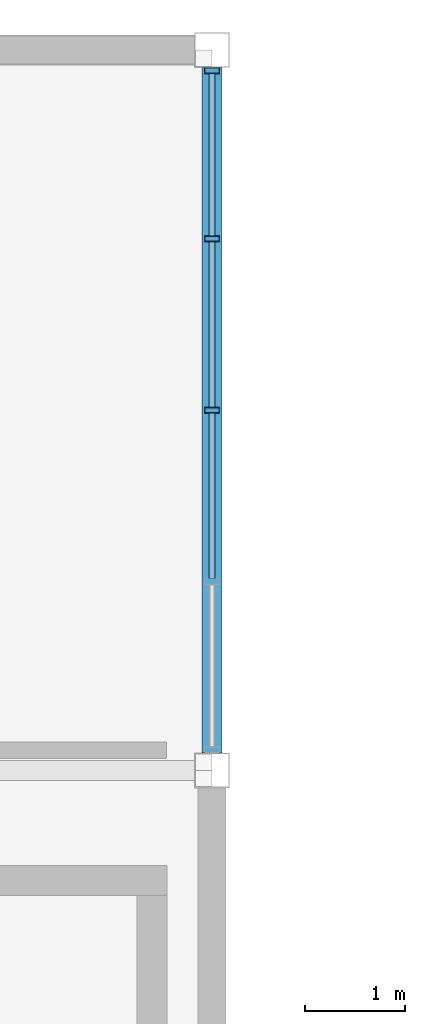
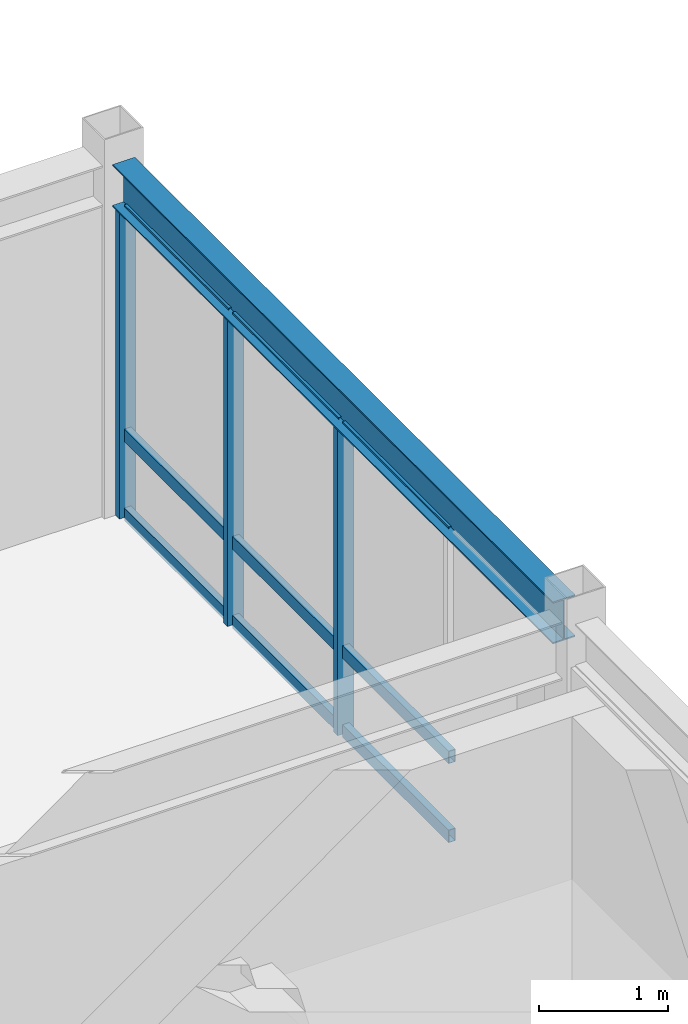
# One storey, part 13 of 34: 12 members, 1 beam, 1 element without a shape of its own.
"""IFC4 building model written with IfcOpenShell, lengths in metres."""

from ifc_helpers import new_model, si_unit, direction, frame, origin, origin_2d, place, context, subcontext, project, spatial, hollow_rectangle, i_section, extrude, material, material_profile, profile_set, type_object, element, aggregate, save


model = new_model("IFC4")

# Units and contexts
model_context = context("Model", 3, precision=1e-05, world=origin(), true_north=direction((0.0, 1.0)))
body_context = subcontext(model_context, "Body", "Model", "MODEL_VIEW")
ifc_project = project(units=[si_unit("LENGTHUNIT", "METRE"), si_unit("AREAUNIT", "SQUARE_METRE"), si_unit("VOLUMEUNIT", "CUBIC_METRE"), si_unit("PLANEANGLEUNIT", "RADIAN"), si_unit("MASSUNIT", "GRAM", prefix="KILO")], contexts=[model_context])

# Site, building, storey
site_placement = place(None, origin())
site = spatial("IfcSite", under=ifc_project, at=site_placement, CompositionType="ELEMENT")
building_placement = place(site_placement, origin())
building = spatial("IfcBuilding", under=site, at=building_placement, Name="Kazanami Central Library", CompositionType="ELEMENT")
storey_placement = place(building_placement, frame((0.0, 0.0, 17.0)))
storey = spatial("IfcBuildingStorey", under=building, at=storey_placement, Name="L05", CompositionType="ELEMENT", Elevation=17.0)

# Beam
ifc_material_1 = material(Name="Steel SN490B (325 MPa)", Category="steel")
ifc_material_profile_1 = material_profile(ifc_material_1, i_section(OverallWidth=0.199951171875, OverallDepth=0.39990234375, WebThickness=0.008056640625, FlangeThickness=0.012939453125, at=origin_2d()), Name="H-400x200x8x13")
ifc_profile_set_1 = profile_set([ifc_material_profile_1], Name="Steel SN490B (325 MPa)")
beam_type = type_object("IfcBeamType", Name="BM-SP-3", PredefinedType="SPANDREL", material=ifc_profile_set_1)
beam_placement = place(storey_placement, frame((36.0, 86.572998046875, 3.139892578125), z_axis=(0.0, 1.0, 0.0), x_axis=(-1.0, 0.0, 0.0)))
element("IfcBeam", 1, at=beam_placement, inside=storey, type_object=beam_type, Name="Girder SP-3 L05 5/N-O", PredefinedType="SPANDREL", context=body_context, shape_type="SweptSolid", body=[
    extrude(i_section(OverallWidth=0.199951171875, OverallDepth=0.39990234375, WebThickness=0.008056640625, FlangeThickness=0.012939453125, at=origin_2d()), origin(), (0.0, 0.0, 1.0), 6.85400390625),
])

# Curtain wall, members
ifc_material_2 = material(Name="Acid-Etched Low-E Laminated Glass", Category="glass")
curtain_wall_type = type_object("IfcCurtainWallType", Name="CW-6850x2940-M180", PredefinedType="USERDEFINED", material=ifc_material_2)
curtain_wall_placement = place(storey_placement, origin())
curtain_wall = element("IfcCurtainWall", 2, at=curtain_wall_placement, inside=storey, type_object=curtain_wall_type, Name="Covered Link Bridge Curtain Wall CW-52 L05 E-5-12", ObjectType="UNITISED CURTAIN WALL", PredefinedType="USERDEFINED")
ifc_material_3 = material(Name="Anodised Aluminium A6063-T5", Category="aluminium")
ifc_material_profile_2 = material_profile(ifc_material_3, hollow_rectangle(XDim=0.06005859375, YDim=0.14990234375, WallThickness=0.00390625, at=origin_2d()), Name="ALU-MULL-60x150x4")
ifc_profile_set_2 = profile_set([ifc_material_profile_2], Name="Anodised Aluminium A6063-T5")
member_type_1 = type_object("IfcMemberType", Name="MEM-CW-M3", PredefinedType="MULLION", material=ifc_profile_set_2)
member_1_placement = place(storey_placement, frame((36.0, 93.39501953125, 0.0), z_axis=(0.0, 0.0, 1.0), x_axis=(0.0, -1.0, 0.0)))
member_1 = element("IfcMember", 3, at=member_1_placement, type_object=member_type_1, Name="CW-52 mullion 1", PredefinedType="MULLION", context=body_context, shape_type="SweptSolid", body=[
    extrude(hollow_rectangle(XDim=0.06005859375, YDim=0.14990234375, WallThickness=0.00390625, at=origin_2d()), origin(), (0.0, 0.0, 1.0), 2.93994140625),
])
member_2_placement = place(storey_placement, frame((36.0, 91.71240234375, 0.0), z_axis=(0.0, 0.0, 1.0), x_axis=(0.0, -1.0, 0.0)))
member_2 = element("IfcMember", 4, at=member_2_placement, type_object=member_type_1, Name="CW-52 mullion 2", PredefinedType="MULLION", context=body_context, shape_type="SweptSolid", body=[
    extrude(hollow_rectangle(XDim=0.06005859375, YDim=0.14990234375, WallThickness=0.00390625, at=origin_2d()), origin(), (0.0, 0.0, 1.0), 2.93994140625),
])
member_3_placement = place(storey_placement, frame((36.0, 90.0, 0.0), z_axis=(0.0, 0.0, 1.0), x_axis=(0.0, -1.0, 0.0)))
member_3 = element("IfcMember", 5, at=member_3_placement, type_object=member_type_1, Name="CW-52 mullion 3", PredefinedType="MULLION", context=body_context, shape_type="SweptSolid", body=[
    extrude(hollow_rectangle(XDim=0.06005859375, YDim=0.14990234375, WallThickness=0.00390625, at=origin_2d()), origin(), (0.0, 0.0, 1.0), 2.93994140625),
])
ifc_material_profile_3 = material_profile(ifc_material_3, hollow_rectangle(XDim=0.06005859375, YDim=0.1201171875, WallThickness=0.00341796875, at=origin_2d()), Name="ALU-TRAN-60x120x3.5")
ifc_profile_set_3 = profile_set([ifc_material_profile_3], Name="Anodised Aluminium A6063-T5")
member_type_2 = type_object("IfcMemberType", Name="MEM-CW-T3", PredefinedType="USERDEFINED", material=ifc_profile_set_3)
member_4_placement = place(storey_placement, frame((36.0, 93.364990234375, 0.030029296875), z_axis=(0.0, -1.0, 0.0), x_axis=(1.0, 0.0, 0.0)))
member_4 = element("IfcMember", 6, at=member_4_placement, type_object=member_type_2, Name="CW-52 transom 1.1", ObjectType="TRANSOM", PredefinedType="USERDEFINED", context=body_context, shape_type="SweptSolid", body=[
    extrude(hollow_rectangle(XDim=0.06005859375, YDim=0.1201171875, WallThickness=0.00341796875, at=origin_2d()), origin(), (0.0, 0.0, 1.0), 1.62255859375),
])
member_5_placement = place(storey_placement, frame((36.0, 93.364990234375, 0.780029296875), z_axis=(0.0, -1.0, 0.0), x_axis=(1.0, 0.0, 0.0)))
member_5 = element("IfcMember", 7, at=member_5_placement, type_object=member_type_2, Name="CW-52 transom 1.2", ObjectType="TRANSOM", PredefinedType="USERDEFINED", context=body_context, shape_type="SweptSolid", body=[
    extrude(hollow_rectangle(XDim=0.06005859375, YDim=0.1201171875, WallThickness=0.00341796875, at=origin_2d()), origin(), (0.0, 0.0, 1.0), 1.62255859375),
])
member_6_placement = place(storey_placement, frame((36.0, 93.364990234375, 2.909912109375), z_axis=(0.0, -1.0, 0.0), x_axis=(1.0, 0.0, 0.0)))
member_6 = element("IfcMember", 8, at=member_6_placement, type_object=member_type_2, Name="CW-52 transom 1.3", ObjectType="TRANSOM", PredefinedType="USERDEFINED", context=body_context, shape_type="SweptSolid", body=[
    extrude(hollow_rectangle(XDim=0.06005859375, YDim=0.1201171875, WallThickness=0.00341796875, at=origin_2d()), origin(), (0.0, 0.0, 1.0), 1.62255859375),
])
member_7_placement = place(storey_placement, frame((36.0, 91.6826171875, 0.030029296875), z_axis=(0.0, -1.0, 0.0), x_axis=(1.0, 0.0, 0.0)))
member_7 = element("IfcMember", 9, at=member_7_placement, type_object=member_type_2, Name="CW-52 transom 2.1", ObjectType="TRANSOM", PredefinedType="USERDEFINED", context=body_context, shape_type="SweptSolid", body=[
    extrude(hollow_rectangle(XDim=0.06005859375, YDim=0.1201171875, WallThickness=0.00341796875, at=origin_2d()), origin(), (0.0, 0.0, 1.0), 1.652587890625),
])
member_8_placement = place(storey_placement, frame((36.0, 91.6826171875, 0.780029296875), z_axis=(0.0, -1.0, 0.0), x_axis=(1.0, 0.0, 0.0)))
member_8 = element("IfcMember", 10, at=member_8_placement, type_object=member_type_2, Name="CW-52 transom 2.2", ObjectType="TRANSOM", PredefinedType="USERDEFINED", context=body_context, shape_type="SweptSolid", body=[
    extrude(hollow_rectangle(XDim=0.06005859375, YDim=0.1201171875, WallThickness=0.00341796875, at=origin_2d()), origin(), (0.0, 0.0, 1.0), 1.652587890625),
])
member_9_placement = place(storey_placement, frame((36.0, 91.6826171875, 2.909912109375), z_axis=(0.0, -1.0, 0.0), x_axis=(1.0, 0.0, 0.0)))
member_9 = element("IfcMember", 11, at=member_9_placement, type_object=member_type_2, Name="CW-52 transom 2.3", ObjectType="TRANSOM", PredefinedType="USERDEFINED", context=body_context, shape_type="SweptSolid", body=[
    extrude(hollow_rectangle(XDim=0.06005859375, YDim=0.1201171875, WallThickness=0.00341796875, at=origin_2d()), origin(), (0.0, 0.0, 1.0), 1.652587890625),
])
member_10_placement = place(storey_placement, frame((36.0, 89.969970703125, 0.030029296875), z_axis=(0.0, -1.0, 0.0), x_axis=(1.0, 0.0, 0.0)))
member_10 = element("IfcMember", 12, at=member_10_placement, type_object=member_type_2, Name="CW-52 transom 3.1", ObjectType="TRANSOM", PredefinedType="USERDEFINED", context=body_context, shape_type="SweptSolid", body=[
    extrude(hollow_rectangle(XDim=0.06005859375, YDim=0.1201171875, WallThickness=0.00341796875, at=origin_2d()), origin(), (0.0, 0.0, 1.0), 1.652587890625),
])
member_11_placement = place(storey_placement, frame((36.0, 89.969970703125, 0.780029296875), z_axis=(0.0, -1.0, 0.0), x_axis=(1.0, 0.0, 0.0)))
member_11 = element("IfcMember", 13, at=member_11_placement, type_object=member_type_2, Name="CW-52 transom 3.2", ObjectType="TRANSOM", PredefinedType="USERDEFINED", context=body_context, shape_type="SweptSolid", body=[
    extrude(hollow_rectangle(XDim=0.06005859375, YDim=0.1201171875, WallThickness=0.00341796875, at=origin_2d()), origin(), (0.0, 0.0, 1.0), 1.652587890625),
])
member_12_placement = place(storey_placement, frame((36.0, 89.969970703125, 2.909912109375), z_axis=(0.0, -1.0, 0.0), x_axis=(1.0, 0.0, 0.0)))
member_12 = element("IfcMember", 14, at=member_12_placement, type_object=member_type_2, Name="CW-52 transom 3.3", ObjectType="TRANSOM", PredefinedType="USERDEFINED", context=body_context, shape_type="SweptSolid", body=[
    extrude(hollow_rectangle(XDim=0.06005859375, YDim=0.1201171875, WallThickness=0.00341796875, at=origin_2d()), origin(), (0.0, 0.0, 1.0), 1.652587890625),
])
aggregate(curtain_wall, [member_1, member_2, member_3, member_4, member_5, member_6, member_7, member_8, member_9, member_10, member_11, member_12])

save(model, "model.ifc")
